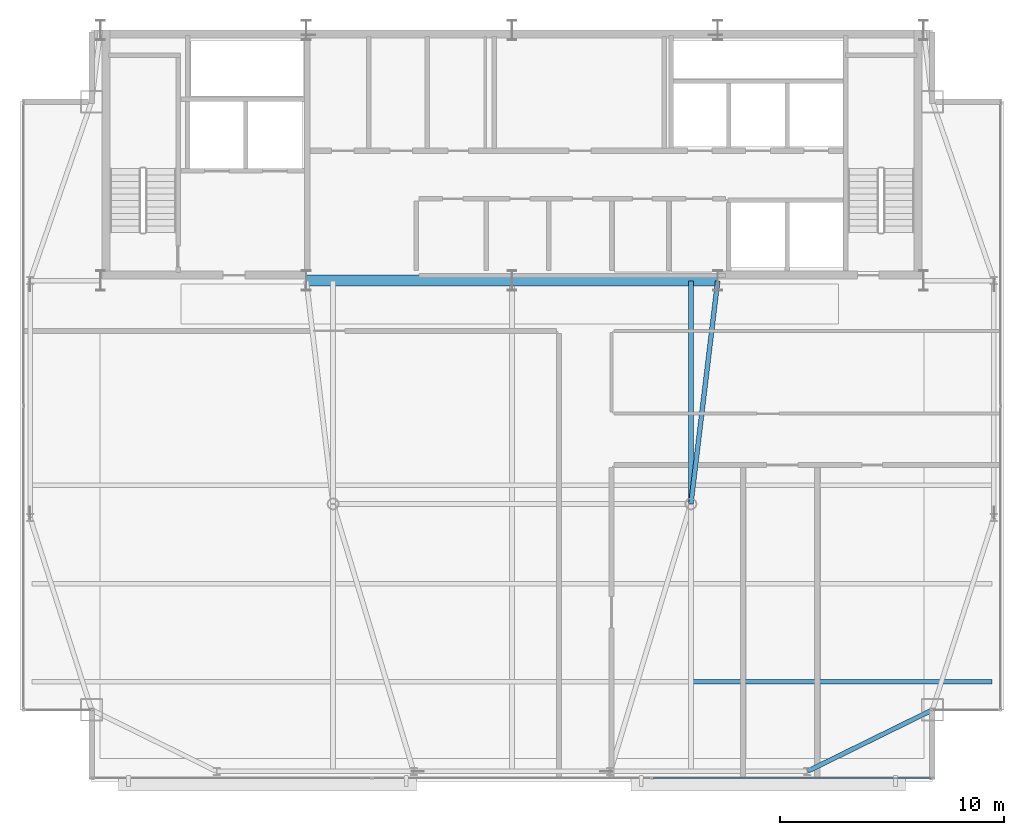
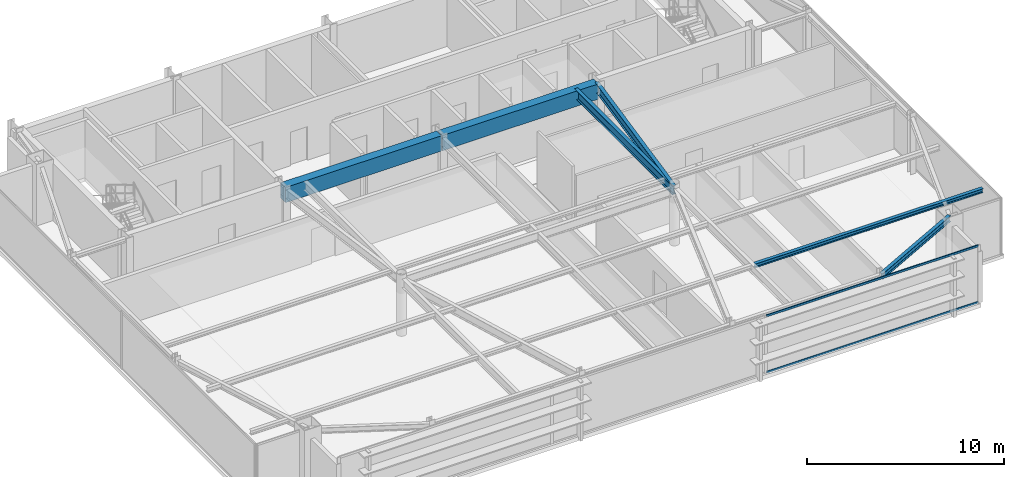
# One storey, part 13 of 24: 6 beams, 2 members, 1 element without a shape of its own.
"""IFC4 building model written with IfcOpenShell, lengths in metres."""

from ifc_helpers import new_model, si_unit, direction, frame, origin, origin_2d, place, context, subcontext, project, spatial, rectangle, hollow_rectangle, i_section, extrude, source, transform, mapped, material, layer, layer_set, material_profile, profile_set, type_object, type_shapes, element, aggregate, save


model = new_model("IFC4")

# Units and contexts
model_context = context("Model", 3, precision=1e-05, world=origin(), true_north=direction((0.0, 1.0)))
body_context = subcontext(model_context, "Body", "Model", "MODEL_VIEW")
ifc_project = project(units=[si_unit("LENGTHUNIT", "METRE"), si_unit("AREAUNIT", "SQUARE_METRE"), si_unit("VOLUMEUNIT", "CUBIC_METRE"), si_unit("PLANEANGLEUNIT", "RADIAN"), si_unit("MASSUNIT", "GRAM", prefix="KILO")], contexts=[model_context])

# Site, building, storey
site_placement = place(None, origin())
site = spatial("IfcSite", under=ifc_project, at=site_placement, CompositionType="ELEMENT")
building_placement = place(site_placement, origin())
building = spatial("IfcBuilding", under=site, at=building_placement, Name="Varnel Quay Broadcast Tower", CompositionType="ELEMENT")
storey_placement = place(building_placement, frame((0.0, 0.0, 285.0)))
storey = spatial("IfcBuildingStorey", under=building, at=storey_placement, Name="L71", CompositionType="ELEMENT", Elevation=285.0)

# Beams
ifc_material_1 = material(Name="Concrete CSA A23.3 C50/60", Category="concrete")
ifc_material_profile_1 = material_profile(ifc_material_1, rectangle(XDim=0.5, YDim=0.949951171875, at=origin_2d()), Name="RC500X950")
ifc_profile_set_1 = profile_set([ifc_material_profile_1], Name="Concrete CSA A23.3 C50/60")
beam_type_1 = type_object("IfcBeamType", Name="Beam_RC500X950", PredefinedType="BEAM", material=ifc_profile_set_1)
shared_shape_1 = source(origin(), body_context, "Body", "SweptSolid", [
    extrude(rectangle(XDim=0.5, YDim=0.949951171875, at=origin_2d()), origin(), (0.0, 0.0, 1.0), 9.159912109375),
])
type_shapes(beam_type_1, [shared_shape_1])
for number, where, z_axis, x_axis, name in (
    (1, (24.820068359375, 35.60009765625, 3.074951171875), (1.0, 0.0, 0.0), (0.0, 1.0, 0.0), "L71 Core Coupling Beam W"),
    (2, (34.02001953125, 35.60009765625, 3.074951171875), (1.0, 0.0, 0.0), (0.0, 1.0, 0.0), "L71 Core Coupling Beam E"),
):
    element("IfcBeam", number, at=place(storey_placement, frame(where, z_axis=z_axis, x_axis=x_axis)), inside=storey, type_object=beam_type_1, Name=name, PredefinedType="BEAM", context=body_context, shape_type="MappedRepresentation", body=[
        mapped(shared_shape_1, transform((0.0, 0.0, 0.0), x_axis=(1.0, 0.0, 0.0), y_axis=(0.0, 1.0, 0.0), z_axis=(0.0, 0.0, 1.0), scale=1.0)),
    ])
ifc_material_2 = material(Name="Structural Steel CSA G40.21 350W", Category="steel")
ifc_material_profile_2 = material_profile(ifc_material_2, i_section(OverallWidth=0.205078125, OverallDepth=0.35400390625, WebThickness=0.009521484375, FlangeThickness=0.016845703125, FilletRadius=0.012939453125, at=origin_2d()), Name="W360X79")
ifc_profile_set_2 = profile_set([ifc_material_profile_2], Name="Structural Steel CSA G40.21 350W")
beam_type_2 = type_object("IfcBeamType", Name="Beam_W360X79", PredefinedType="SPANDREL", material=ifc_profile_set_2)
shared_shape_2 = source(origin(), body_context, "Body", "SweptSolid", [
    extrude(i_section(OverallWidth=0.205078125, OverallDepth=0.35400390625, WebThickness=0.009521484375, FlangeThickness=0.016845703125, FilletRadius=0.012939453125, at=origin_2d()), origin(), (0.0, 0.0, 1.0), 6.19873046875),
])
type_shapes(beam_type_2, [shared_shape_2])
beam_1_placement = place(storey_placement, frame((47.218017578125, 13.65869140625, 3.373046875), z_axis=(0.897602447358, 0.440805905697, 0.0), x_axis=(-0.440805905697, 0.897602447358, 0.0)))
element("IfcBeam", 3, at=beam_1_placement, inside=storey, type_object=beam_type_2, Name="L71 South Spandrel TC-S4-MC-SE", PredefinedType="SPANDREL", context=body_context, shape_type="MappedRepresentation", body=[
    mapped(shared_shape_2, transform((0.0, 0.0, 0.0), x_axis=(1.0, 0.0, 0.0), y_axis=(0.0, 1.0, 0.0), z_axis=(0.0, 0.0, 1.0), scale=1.0)),
])
ifc_material_profile_3 = material_profile(ifc_material_2, i_section(OverallWidth=0.2119140625, OverallDepth=0.5439453125, WebThickness=0.01318359375, FlangeThickness=0.021240234375, FilletRadius=0.013916015625, at=origin_2d()), Name="W530X123")
ifc_profile_set_3 = profile_set([ifc_material_profile_3], Name="Structural Steel CSA G40.21 350W")
beam_type_3 = type_object("IfcBeamType", Name="Girder_W530X123", PredefinedType="BEAM", material=ifc_profile_set_3)
shared_shape_3 = source(origin(), body_context, "Body", "SweptSolid", [
    extrude(i_section(OverallWidth=0.2119140625, OverallDepth=0.5439453125, WebThickness=0.01318359375, FlangeThickness=0.021240234375, FilletRadius=0.013916015625, at=origin_2d()), origin(), (0.0, 0.0, 1.0), 10.021728515625),
])
beam_2_placement = place(storey_placement, frame((42.00244140625, 25.6298828125, 3.278076171875), z_axis=(0.119248005741, 0.992864498875, 0.0), x_axis=(-0.992864498875, 0.119248005741, 0.0)))
element("IfcBeam", 4, at=beam_2_placement, inside=storey, type_object=beam_type_3, Name="L71 Primary Girder IC-02-CC-S4", PredefinedType="BEAM", context=body_context, shape_type="MappedRepresentation", body=[
    mapped(shared_shape_3, transform((0.0, 0.0, 0.0), x_axis=(1.0, 0.0, 0.0), y_axis=(0.0, 1.0, 0.0), z_axis=(0.0, 0.0, 1.0), scale=1.0)),
])
shared_shape_4 = source(origin(), body_context, "Body", "SweptSolid", [
    extrude(i_section(OverallWidth=0.2119140625, OverallDepth=0.5439453125, WebThickness=0.01318359375, FlangeThickness=0.021240234375, FilletRadius=0.013916015625, at=origin_2d()), origin(), (0.0, 0.0, 1.0), 9.9501953125),
])
type_shapes(beam_type_3, [shared_shape_3, shared_shape_4])
beam_3_placement = place(storey_placement, frame((42.0, 25.6298828125, 3.278076171875), z_axis=(0.0, 1.0, 0.0), x_axis=(-1.0, 0.0, 0.0)))
element("IfcBeam", 5, at=beam_3_placement, inside=storey, type_object=beam_type_3, Name="L71 N-S Joist Header IC-02N", PredefinedType="BEAM", context=body_context, shape_type="MappedRepresentation", body=[
    mapped(shared_shape_4, transform((0.0, 0.0, 0.0), x_axis=(1.0, 0.0, 0.0), y_axis=(0.0, 1.0, 0.0), z_axis=(0.0, 0.0, 1.0), scale=1.0)),
])
ifc_material_profile_4 = material_profile(ifc_material_2, i_section(OverallWidth=0.201904296875, OverallDepth=0.2470703125, WebThickness=0.00732421875, FlangeThickness=0.010986328125, FilletRadius=0.010986328125, at=origin_2d()), Name="W250X49")
ifc_profile_set_4 = profile_set([ifc_material_profile_4], Name="Structural Steel CSA G40.21 350W")
beam_type_4 = type_object("IfcBeamType", Name="Beam_W250X49", PredefinedType="JOIST", material=ifc_profile_set_4)
shared_shape_5 = source(origin(), body_context, "Body", "SweptSolid", [
    extrude(i_section(OverallWidth=0.201904296875, OverallDepth=0.2470703125, WebThickness=0.00732421875, FlangeThickness=0.010986328125, FilletRadius=0.010986328125, at=origin_2d()), origin(), (0.0, 0.0, 1.0), 13.351318359375),
])
type_shapes(beam_type_4, [shared_shape_5])
beam_4_placement = place(storey_placement, frame((42.10107421875, 17.64990234375, 3.426513671875), z_axis=(1.0, 0.0, 0.0), x_axis=(0.0, 1.0, 0.0)))
element("IfcBeam", 6, at=beam_4_placement, inside=storey, type_object=beam_type_4, Name="L71 East Floor Joist 1", PredefinedType="JOIST", context=body_context, shape_type="MappedRepresentation", body=[
    mapped(shared_shape_5, transform((0.0, 0.0, 0.0), x_axis=(1.0, 0.0, 0.0), y_axis=(0.0, 1.0, 0.0), z_axis=(0.0, 0.0, 1.0), scale=1.0)),
])

# Curtain wall, members
ifc_material_3 = material(Name="Anodised Bronze Aluminium 6063-T6", Category="aluminium")
ifc_layer = layer(ifc_material_3, 0.18994140625, Name="Anodised Bronze Aluminium 6063-T6")
ifc_layer_set = layer_set([ifc_layer], Name="Anodised Bronze Aluminium 6063-T6")
curtain_wall_type = type_object("IfcCurtainWallType", Name="CW_UpperTower", PredefinedType="NOTDEFINED", material=ifc_layer_set)
curtain_wall_placement = place(storey_placement, origin())
curtain_wall = element("IfcCurtainWall", 7, at=curtain_wall_placement, inside=storey, type_object=curtain_wall_type, Name="L71 South Unitised Curtain Wall 1", PredefinedType="NOTDEFINED")
ifc_material_profile_5 = material_profile(ifc_material_3, hollow_rectangle(XDim=0.06005859375, YDim=0.125, WallThickness=0.0029296875, at=origin_2d()), Name="ALU60X125X3")
ifc_profile_set_5 = profile_set([ifc_material_profile_5], Name="Anodised Bronze Aluminium 6063-T6")
member_type = type_object("IfcMemberType", Name="Tran_CWS-03", PredefinedType="USERDEFINED", material=ifc_profile_set_5)
shared_shape_6 = source(origin(), body_context, "Body", "SweptSolid", [
    extrude(hollow_rectangle(XDim=0.06005859375, YDim=0.125, WallThickness=0.0029296875, at=origin_2d()), origin(), (0.0, 0.0, 1.0), 12.43603515625),
])
type_shapes(member_type, [shared_shape_6])
member_1_placement = place(storey_placement, frame((40.299072265625, 13.35009765625, 0.030029296875), z_axis=(1.0, 0.0, 0.0), x_axis=(0.0, 1.0, 0.0)))
member_1 = element("IfcMember", 8, at=member_1_placement, type_object=member_type, Name="CWS-03 transom 3.1", ObjectType="TRANSOM", PredefinedType="USERDEFINED", context=body_context, shape_type="MappedRepresentation", body=[
    mapped(shared_shape_6, transform((0.0, 0.0, 0.0), x_axis=(1.0, 0.0, 0.0), y_axis=(0.0, 1.0, 0.0), z_axis=(0.0, 0.0, 1.0), scale=1.0)),
])
member_2_placement = place(storey_placement, frame((40.299072265625, 13.35009765625, 3.52001953125), z_axis=(1.0, 0.0, 0.0), x_axis=(0.0, 1.0, 0.0)))
member_2 = element("IfcMember", 9, at=member_2_placement, type_object=member_type, Name="CWS-03 transom 3.2", ObjectType="TRANSOM", PredefinedType="USERDEFINED", context=body_context, shape_type="MappedRepresentation", body=[
    mapped(shared_shape_6, transform((0.0, 0.0, 0.0), x_axis=(1.0, 0.0, 0.0), y_axis=(0.0, 1.0, 0.0), z_axis=(0.0, 0.0, 1.0), scale=1.0)),
])
aggregate(curtain_wall, [member_1, member_2])

save(model, "model.ifc")
